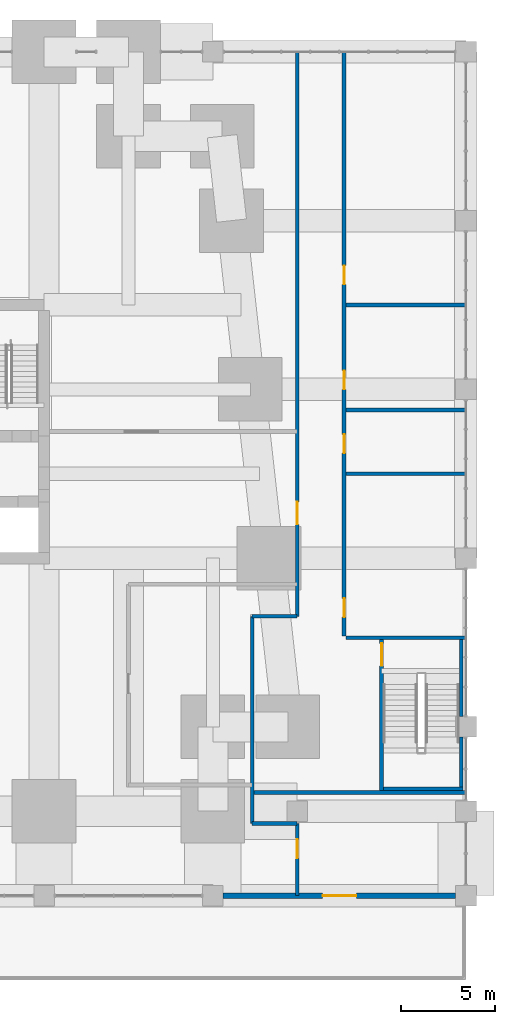
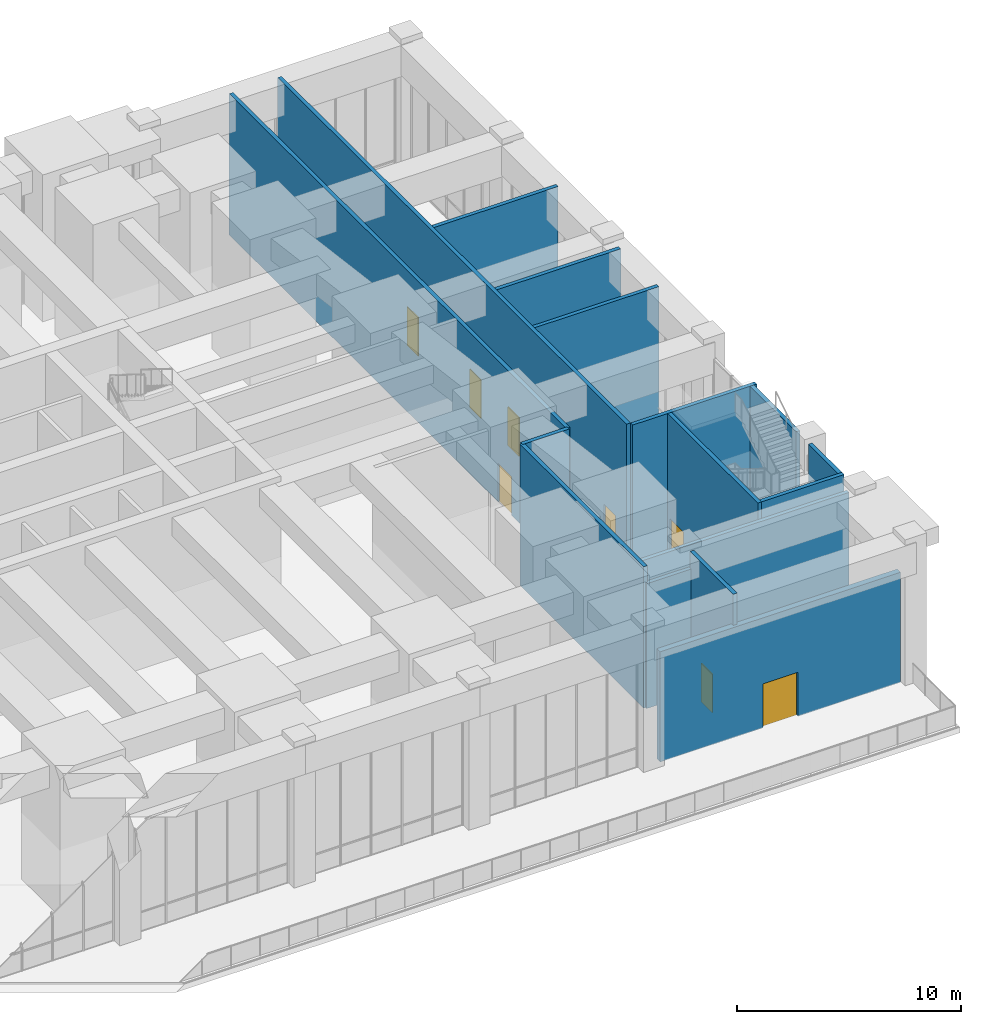
# One storey, part 20 of 26: 16 walls, 8 doors, 8 openings.
"""IFC4 building model written with IfcOpenShell, lengths in metres."""

import ifcopenshell
import ifcopenshell.guid

model = None  # the IFC model being written
_history = None  # IfcOwnerHistory: only IFC2X3 demands one
_inside = {}  # id of a spatial element -> (the spatial element, [elements in it])
_under = {}  # id of a project, library or spatial element -> (it, [spatial elements below it])
_declared = {}  # id of a project -> (the project, [libraries it declares])
_typed = {}  # id of a type object -> (the type object, [elements of that type])
_made_of = {}  # id of a material, layer set ... -> (it, [elements and type objects made of it])


def new_model(schema):
    """Start an empty IFC model of exactly this schema.

    Asked for "IFC4X3", IfcOpenShell would pick the latest addendum, in which some entities
    have other attributes; the version numbers below select the first issue.
    IFC2X3 requires an IfcOwnerHistory on every rooted entity: one is made here for all.
    """
    global model, _history
    if schema == "IFC4X3":
        model = ifcopenshell.file(schema_version=(4, 3, 0, 0))
    else:
        model = ifcopenshell.file(schema=schema)
    _inside.clear()
    _under.clear()
    _declared.clear()
    _typed.clear()
    _made_of.clear()
    _history = None
    if model.schema == "IFC2X3":
        org = make("IfcOrganization", Name="unknown")
        user = make(
            "IfcPersonAndOrganization",
            ThePerson=make("IfcPerson", FamilyName="unknown"),
            TheOrganization=org,
        )
        app = make(
            "IfcApplication",
            ApplicationDeveloper=org,
            Version="unknown",
            ApplicationFullName="unknown",
            ApplicationIdentifier="unknown",
        )
        _history = make(
            "IfcOwnerHistory",
            OwningUser=user,
            OwningApplication=app,
            ChangeAction="ADDED",
            CreationDate=0,
        )
    return model


def make(cls, **values):
    """One entity of the class cls with the attributes given. An attribute that is None is left unset."""
    return model.create_entity(
        cls, **{name: value for name, value in values.items() if value is not None}
    )


def rooted(cls, **values):
    """An entity with a GlobalId (a new one), such as an element, a storey or a relation."""
    return make(cls, GlobalId=ifcopenshell.guid.new(), OwnerHistory=_history, **values)


def si_unit(unit_type, name, prefix=None):
    """IfcSIUnit, for example si_unit("LENGTHUNIT", "METRE", prefix="MILLI")."""
    return make("IfcSIUnit", UnitType=unit_type, Prefix=prefix, Name=name)


def assignment(units):
    """IfcUnitAssignment: the units of a project."""
    return None if units is None else make("IfcUnitAssignment", Units=units)


def point(xyz):
    """IfcCartesianPoint."""
    return None if xyz is None else make("IfcCartesianPoint", Coordinates=xyz)


def direction(xyz):
    """IfcDirection."""
    return None if xyz is None else make("IfcDirection", DirectionRatios=xyz)


def frame(location, z_axis=None, x_axis=None):
    """IfcAxis2Placement3D, a coordinate frame: its origin and axes. An axis left out is left unset."""
    return make(
        "IfcAxis2Placement3D",
        Location=point(location),
        Axis=direction(z_axis),
        RefDirection=direction(x_axis),
    )


def frame_2d(location, x_axis=None):
    """IfcAxis2Placement2D, a coordinate frame in the plane: its origin and x axis."""
    return make(
        "IfcAxis2Placement2D", Location=point(location), RefDirection=direction(x_axis)
    )


def origin():
    """The frame at (0, 0, 0) with its axes left unset."""
    return frame((0.0, 0.0, 0.0))


def place(relative_to, where):
    """IfcLocalPlacement: puts the frame where relative to a parent placement (None: the world)."""
    return make(
        "IfcLocalPlacement", PlacementRelTo=relative_to, RelativePlacement=where
    )


def context(
    kind, dimensions, precision=None, world=None, true_north=None, identifier=None
):
    """IfcGeometricRepresentationContext, for example the 3D "Model" context."""
    return make(
        "IfcGeometricRepresentationContext",
        ContextIdentifier=identifier,
        ContextType=kind,
        CoordinateSpaceDimension=dimensions,
        Precision=precision,
        WorldCoordinateSystem=world,
        TrueNorth=true_north,
    )


def subcontext(parent, identifier, kind, view, scale=None):
    """IfcGeometricRepresentationSubContext, for example "Body" below "Model"."""
    return make(
        "IfcGeometricRepresentationSubContext",
        ContextIdentifier=identifier,
        ContextType=kind,
        ParentContext=parent,
        TargetScale=scale,
        TargetView=view,
    )


def project(units=None, contexts=None):
    """IfcProject with its units and contexts."""
    return rooted(
        "IfcProject",
        Name="project",
        RepresentationContexts=contexts,
        UnitsInContext=assignment(units),
    )


def spatial(cls, under=None, at=None, **own):
    """A site, building, storey or space (cls), placed at a placement, below another one or the project."""
    s = rooted(cls, ObjectPlacement=at, **own)
    if under is not None:
        _under.setdefault(under.id(), (under, []))[1].append(s)
    return s


def profile(cls, at=None, kind="AREA", **sizes):
    """A parametric profile (cls). Its sizes go by their IFC names, for example OverallWidth=200.0."""
    return make(cls, ProfileType=kind, Position=at, **sizes)


def rectangle(**sizes):
    """IfcRectangleProfileDef."""
    return profile("IfcRectangleProfileDef", **sizes)


def extrude(swept, where, along, depth):
    """IfcExtrudedAreaSolid: the profile swept, set in the frame where, extruded along a direction by depth."""
    return make(
        "IfcExtrudedAreaSolid",
        SweptArea=swept,
        Position=where,
        ExtrudedDirection=direction(along),
        Depth=depth,
    )


def shape(context_of_items, identifier, shape_type, items):
    """IfcShapeRepresentation: the items that make up one representation, for example the "Body"."""
    return make(
        "IfcShapeRepresentation",
        ContextOfItems=context_of_items,
        RepresentationIdentifier=identifier,
        RepresentationType=shape_type,
        Items=items,
    )


def material(Name=None, Category=None):
    """IfcMaterial."""
    return make("IfcMaterial", Name=Name, Category=Category)


def layer(
    of_material, thickness, ventilated=None, Name=None, Category=None, Priority=None
):
    """IfcMaterialLayer: one layer of a wall or slab, of a material (None: an air gap)."""
    return make(
        "IfcMaterialLayer",
        Material=of_material,
        LayerThickness=thickness,
        IsVentilated=ventilated,
        Name=Name,
        Category=Category,
        Priority=Priority,
    )


def layer_set(layers, Name=None):
    """IfcMaterialLayerSet."""
    return make("IfcMaterialLayerSet", MaterialLayers=layers, LayerSetName=Name)


def made_of(thing, what):
    """Note that an element or type object is made of a material, layer set ...; save() writes the relation."""
    if what is not None:
        _made_of.setdefault(what.id(), (what, []))[1].append(thing)
    return thing


def type_object(cls, material=None, **own):
    """A type object (cls), such as IfcWallType, which elements share."""
    return made_of(rooted(cls, **own), material)


def element(
    cls,
    number,
    at=None,
    inside=None,
    cuts=None,
    type_object=None,
    material=None,
    context=None,
    identifier="Body",
    shape_type=None,
    held_by="IfcProductDefinitionShape",
    body=None,
    shapes=None,
    **own,
):
    """One element of the class cls, such as IfcWall. Its Tag is "e" and its number.

    at: its placement. inside: the storey or other place that contains it. cuts: it is an
    opening in that element (IfcRelVoidsElement). A single representation is given by context,
    identifier, shape_type and body (its items); several are given by shapes. held_by: the class
    of the entity that holds the representations. save() writes the other relations.
    """
    e = rooted(cls, Tag="e%d" % number, ObjectPlacement=at, **own)
    if body is not None:
        shapes = [shape(context, identifier, shape_type, body)]
    if shapes is not None:
        e.Representation = make(held_by, Representations=shapes)
    if inside is not None:
        _inside.setdefault(inside.id(), (inside, []))[1].append(e)
    if cuts is not None:
        rooted(
            "IfcRelVoidsElement", RelatingBuildingElement=cuts, RelatedOpeningElement=e
        )
    if type_object is not None:
        _typed.setdefault(type_object.id(), (type_object, []))[1].append(e)
    return made_of(e, material)


def fill(opening, filler):
    """IfcRelFillsElement: the door or window that sits in an opening."""
    return rooted(
        "IfcRelFillsElement",
        RelatingOpeningElement=opening,
        RelatedBuildingElement=filler,
    )


def aggregate(whole, parts):
    """IfcRelAggregates: a whole, such as a stair, and the parts it consists of."""
    return rooted("IfcRelAggregates", RelatingObject=whole, RelatedObjects=parts)


def save(model, path):
    """Write the relations noted so far, then the file.

    IfcRelAggregates (storeys below a building ...), IfcRelContainedInSpatialStructure (elements
    in a storey), IfcRelDefinesByType, IfcRelAssociatesMaterial and IfcRelDeclares: one each for
    every whole, place, type object, material and project.
    """
    for whole, parts in _under.values():
        aggregate(whole, parts)
    for where, things in _inside.values():
        rooted(
            "IfcRelContainedInSpatialStructure",
            RelatedElements=things,
            RelatingStructure=where,
        )
    for kind, things in _typed.values():
        rooted("IfcRelDefinesByType", RelatedObjects=things, RelatingType=kind)
    for what, things in _made_of.values():
        rooted("IfcRelAssociatesMaterial", RelatedObjects=things, RelatingMaterial=what)
    for by, libraries in _declared.values():
        rooted("IfcRelDeclares", RelatingContext=by, RelatedDefinitions=libraries)
    model.write(path)


model = new_model("IFC4")

# Units and contexts
model_context = context("Model", 3, precision=1e-05, world=origin(), true_north=direction((0.0, 1.0)))
body_context = subcontext(model_context, "Body", "Model", "MODEL_VIEW")
ifc_project = project(units=[si_unit("LENGTHUNIT", "METRE"), si_unit("AREAUNIT", "SQUARE_METRE"), si_unit("VOLUMEUNIT", "CUBIC_METRE"), si_unit("PLANEANGLEUNIT", "RADIAN"), si_unit("MASSUNIT", "GRAM", prefix="KILO")], contexts=[model_context])

# Site, building, storey
site_placement = place(None, origin())
site = spatial("IfcSite", under=ifc_project, at=site_placement, CompositionType="ELEMENT")
building_placement = place(site_placement, origin())
building = spatial("IfcBuilding", under=site, at=building_placement, Name="Kilele Tower Hotel", CompositionType="ELEMENT")
storey_placement = place(building_placement, frame((0.0, 0.0, 11.0)))
storey = spatial("IfcBuildingStorey", under=building, at=storey_placement, Name="L02", CompositionType="ELEMENT", Elevation=11.0)

# Wall, opening, door
ifc_material_1 = material(Name="Blockwork, plastered both sides", Category="masonry")
ifc_layer_1 = layer(ifc_material_1, 0.199951171875)
ifc_layer_set_1 = layer_set([ifc_layer_1], Name="Blockwork, plastered both sides")
wall_type_1 = type_object("IfcWallType", Name="Partition wall 200", PredefinedType="PARTITIONING", material=ifc_layer_set_1)
wall_1_placement = place(storey_placement, frame((49.5, -4.5, 0.0), z_axis=(0.0, 0.0, 1.0), x_axis=(0.0, 1.0, 0.0)))
wall_1 = element("IfcWall", 1, at=wall_1_placement, inside=storey, type_object=wall_type_1, Name="Partition wall 200 L02", PredefinedType="PARTITIONING", context=body_context, shape_type="SweptSolid", body=[
    extrude(rectangle(XDim=3.85009765625, YDim=0.199951171875, at=frame_2d((1.925048828125, 0.0))), origin(), (0.0, 0.0, 1.0), 7.699951171875),
])
opening_1_placement = place(wall_1_placement, frame((3.0, 0.0, 0.0), z_axis=(0.0, 0.0, 1.0), x_axis=(-1.0, 0.0, 0.0)))
opening_1 = element("IfcOpeningElement", 2, at=opening_1_placement, cuts=wall_1, Name="Opening D8", PredefinedType="OPENING", context=body_context, shape_type="SweptSolid", body=[
    extrude(rectangle(XDim=1.0, YDim=2.10009765625, at=frame_2d((0.5, 1.050048828125))), frame((0.0, 0.10986328125, 0.0), z_axis=(0.0, -1.0, 0.0), x_axis=(1.0, 0.0, 0.0)), (0.0, 0.0, 1.0), 0.219970703125),
])
ifc_material_2 = material(Name="Timber door leaf in hardwood frame", Category="wood")
door_type_1 = type_object("IfcDoorType", Name="Door 1000", OperationType="SINGLE_SWING_LEFT", PredefinedType="DOOR", material=ifc_material_2)
door_1_placement = place(opening_1_placement, origin())
door_1 = element("IfcDoor", 3, at=door_1_placement, inside=storey, type_object=door_type_1, Name="Door cloakroom", OperationType="SINGLE_SWING_LEFT", OverallHeight=2.10009765625, OverallWidth=1.0, PredefinedType="DOOR", context=body_context, shape_type="SweptSolid", body=[
    extrude(rectangle(XDim=1.0, YDim=2.10009765625, at=frame_2d((0.5, 1.050048828125))), frame((0.0, 0.02490234375, 0.0), z_axis=(0.0, -1.0, 0.0), x_axis=(1.0, 0.0, 0.0)), (0.0, 0.0, 1.0), 0.050048828125),
])
fill(opening_1, door_1)

# Walls
wall_2_placement = place(storey_placement, frame((47.10009765625, -0.64990234375, 0.0), z_axis=(0.0, 0.0, 1.0), x_axis=(1.0, 0.0, 0.0)))
element("IfcWall", 4, at=wall_2_placement, inside=storey, type_object=wall_type_1, Name="Partition wall 200 L02", PredefinedType="PARTITIONING", context=body_context, shape_type="SweptSolid", body=[
    extrude(rectangle(XDim=2.39990234375, YDim=0.199951171875, at=frame_2d((1.199951171875, 0.0))), origin(), (0.0, 0.0, 1.0), 6.800048828125),
])
wall_3_placement = place(storey_placement, frame((47.10009765625, -0.64990234375, 0.0), z_axis=(0.0, 0.0, 1.0), x_axis=(0.0, 1.0, 0.0)))
element("IfcWall", 5, at=wall_3_placement, inside=storey, type_object=wall_type_1, Name="Partition wall 200 L02", PredefinedType="PARTITIONING", context=body_context, shape_type="SweptSolid", body=[
    extrude(rectangle(XDim=11.0498046875, YDim=0.199951171875, at=frame_2d((5.52490234375, 0.0))), origin(), (0.0, 0.0, 1.0), 7.699951171875),
])
wall_4_placement = place(storey_placement, frame((47.10009765625, 10.39990234375, 0.0), z_axis=(0.0, 0.0, 1.0), x_axis=(1.0, 0.0, 0.0)))
element("IfcWall", 6, at=wall_4_placement, inside=storey, type_object=wall_type_1, Name="Partition wall 200 L02", PredefinedType="PARTITIONING", context=body_context, shape_type="SweptSolid", body=[
    extrude(rectangle(XDim=2.39990234375, YDim=0.199951171875, at=frame_2d((1.199951171875, 0.0))), origin(), (0.0, 0.0, 1.0), 7.699951171875),
])

# Wall, opening, door
wall_5_placement = place(storey_placement, frame((49.5, 10.39990234375, 0.0), z_axis=(0.0, 0.0, 1.0), x_axis=(0.0, 1.0, 0.0)))
wall_5 = element("IfcWall", 7, at=wall_5_placement, inside=storey, type_object=wall_type_1, Name="Partition wall 200 L02", PredefinedType="PARTITIONING", context=body_context, shape_type="SweptSolid", body=[
    extrude(rectangle(XDim=30.10009765625, YDim=0.199951171875, at=frame_2d((15.050048828125, 0.0))), origin(), (0.0, 0.0, 1.0), 7.699951171875),
])
opening_2_placement = place(wall_5_placement, frame((4.89990234375, 0.0, 0.0)))
opening_2 = element("IfcOpeningElement", 8, at=opening_2_placement, cuts=wall_5, Name="Opening D8A", PredefinedType="OPENING", context=body_context, shape_type="SweptSolid", body=[
    extrude(rectangle(XDim=1.199951171875, YDim=2.10009765625, at=frame_2d((0.60009765625, 1.050048828125))), frame((0.0, 0.10986328125, 0.0), z_axis=(0.0, -1.0, 0.0), x_axis=(1.0, 0.0, 0.0)), (0.0, 0.0, 1.0), 0.219970703125),
])
ifc_material_3 = material(Name="Timber door leaf in hardwood frame", Category="wood")
door_type_2 = type_object("IfcDoorType", Name="Door 1200", OperationType="SINGLE_SWING_LEFT", PredefinedType="DOOR", material=ifc_material_3)
door_2_placement = place(opening_2_placement, origin())
door_2 = element("IfcDoor", 9, at=door_2_placement, inside=storey, type_object=door_type_2, Name="Door service corridor", OperationType="SINGLE_SWING_LEFT", OverallHeight=2.10009765625, OverallWidth=1.199951171875, PredefinedType="DOOR", context=body_context, shape_type="SweptSolid", body=[
    extrude(rectangle(XDim=1.199951171875, YDim=2.10009765625, at=frame_2d((0.60009765625, 1.050048828125))), frame((0.0, 0.02490234375, 0.0), z_axis=(0.0, -1.0, 0.0), x_axis=(1.0, 0.0, 0.0)), (0.0, 0.0, 1.0), 0.050048828125),
])
fill(opening_2, door_2)

# Wall, openings, doors
wall_6_placement = place(storey_placement, frame((52.0, 9.35009765625, 0.0), z_axis=(0.0, 0.0, 1.0), x_axis=(0.0, 1.0, 0.0)))
wall_6 = element("IfcWall", 10, at=wall_6_placement, inside=storey, type_object=wall_type_1, Name="Partition wall 200 L02", PredefinedType="PARTITIONING", context=body_context, shape_type="SweptSolid", body=[
    extrude(rectangle(XDim=31.14990234375, YDim=0.199951171875, at=frame_2d((15.574951171875, 0.0))), origin(), (0.0, 0.0, 1.0), 7.699951171875),
])
opening_3_placement = place(wall_6_placement, frame((2.0, 0.0, 0.0), z_axis=(0.0, 0.0, 1.0), x_axis=(-1.0, 0.0, 0.0)))
opening_3 = element("IfcOpeningElement", 11, at=opening_3_placement, cuts=wall_6, Name="Opening D8", PredefinedType="OPENING", context=body_context, shape_type="SweptSolid", body=[
    extrude(rectangle(XDim=1.0, YDim=2.10009765625, at=frame_2d((0.5, 1.050048828125))), frame((0.0, 0.10986328125, 0.0), z_axis=(0.0, -1.0, 0.0), x_axis=(1.0, 0.0, 0.0)), (0.0, 0.0, 1.0), 0.219970703125),
])
opening_4_placement = place(wall_6_placement, frame((10.75, 0.0, 0.0), z_axis=(0.0, 0.0, 1.0), x_axis=(-1.0, 0.0, 0.0)))
opening_4 = element("IfcOpeningElement", 12, at=opening_4_placement, cuts=wall_6, Name="Opening D8", PredefinedType="OPENING", context=body_context, shape_type="SweptSolid", body=[
    extrude(rectangle(XDim=1.0, YDim=2.10009765625, at=frame_2d((0.5, 1.050048828125))), frame((0.0, 0.10986328125, 0.0), z_axis=(0.0, -1.0, 0.0), x_axis=(1.0, 0.0, 0.0)), (0.0, 0.0, 1.0), 0.219970703125),
])
opening_5_placement = place(wall_6_placement, frame((14.14990234375, 0.0, 0.0), z_axis=(0.0, 0.0, 1.0), x_axis=(-1.0, 0.0, 0.0)))
opening_5 = element("IfcOpeningElement", 13, at=opening_5_placement, cuts=wall_6, Name="Opening D8", PredefinedType="OPENING", context=body_context, shape_type="SweptSolid", body=[
    extrude(rectangle(XDim=1.0, YDim=2.10009765625, at=frame_2d((0.5, 1.050048828125))), frame((0.0, 0.10986328125, 0.0), z_axis=(0.0, -1.0, 0.0), x_axis=(1.0, 0.0, 0.0)), (0.0, 0.0, 1.0), 0.219970703125),
])
opening_6_placement = place(wall_6_placement, frame((19.75, 0.0, 0.0), z_axis=(0.0, 0.0, 1.0), x_axis=(-1.0, 0.0, 0.0)))
opening_6 = element("IfcOpeningElement", 14, at=opening_6_placement, cuts=wall_6, Name="Opening D7", PredefinedType="OPENING", context=body_context, shape_type="SweptSolid", body=[
    extrude(rectangle(XDim=1.0, YDim=2.10009765625, at=frame_2d((0.5, 1.050048828125))), frame((0.0, 0.10986328125, 0.0), z_axis=(0.0, -1.0, 0.0), x_axis=(1.0, 0.0, 0.0)), (0.0, 0.0, 1.0), 0.219970703125),
])
door_3_placement = place(opening_3_placement, origin())
door_3 = element("IfcDoor", 15, at=door_3_placement, inside=storey, type_object=door_type_1, Name="Door WC men", OperationType="SINGLE_SWING_RIGHT", OverallHeight=2.10009765625, OverallWidth=1.0, PredefinedType="DOOR", context=body_context, shape_type="SweptSolid", body=[
    extrude(rectangle(XDim=1.0, YDim=2.10009765625, at=frame_2d((0.5, 1.050048828125))), frame((0.0, 0.02490234375, 0.0), z_axis=(0.0, -1.0, 0.0), x_axis=(1.0, 0.0, 0.0)), (0.0, 0.0, 1.0), 0.050048828125),
])
fill(opening_3, door_3)
door_4_placement = place(opening_4_placement, origin())
door_4 = element("IfcDoor", 16, at=door_4_placement, inside=storey, type_object=door_type_1, Name="Door Accessible WC", OperationType="SINGLE_SWING_RIGHT", OverallHeight=2.10009765625, OverallWidth=1.0, PredefinedType="DOOR", context=body_context, shape_type="SweptSolid", body=[
    extrude(rectangle(XDim=1.0, YDim=2.10009765625, at=frame_2d((0.5, 1.050048828125))), frame((0.0, 0.02490234375, 0.0), z_axis=(0.0, -1.0, 0.0), x_axis=(1.0, 0.0, 0.0)), (0.0, 0.0, 1.0), 0.050048828125),
])
fill(opening_4, door_4)
door_5_placement = place(opening_5_placement, origin())
door_5 = element("IfcDoor", 17, at=door_5_placement, inside=storey, type_object=door_type_1, Name="Door WC women", OperationType="SINGLE_SWING_RIGHT", OverallHeight=2.10009765625, OverallWidth=1.0, PredefinedType="DOOR", context=body_context, shape_type="SweptSolid", body=[
    extrude(rectangle(XDim=1.0, YDim=2.10009765625, at=frame_2d((0.5, 1.050048828125))), frame((0.0, 0.02490234375, 0.0), z_axis=(0.0, -1.0, 0.0), x_axis=(1.0, 0.0, 0.0)), (0.0, 0.0, 1.0), 0.050048828125),
])
fill(opening_5, door_5)
ifc_material_4 = material(Name="Timber door leaf in hardwood frame", Category="wood")
door_type_3 = type_object("IfcDoorType", Name="Plant room door 1000", OperationType="SINGLE_SWING_LEFT", PredefinedType="DOOR", material=ifc_material_4)
door_6_placement = place(opening_6_placement, origin())
door_6 = element("IfcDoor", 18, at=door_6_placement, inside=storey, type_object=door_type_3, Name="Door Banquet store", OperationType="SINGLE_SWING_RIGHT", OverallHeight=2.10009765625, OverallWidth=1.0, PredefinedType="DOOR", context=body_context, shape_type="SweptSolid", body=[
    extrude(rectangle(XDim=1.0, YDim=2.10009765625, at=frame_2d((0.5, 1.050048828125))), frame((0.0, 0.02490234375, 0.0), z_axis=(0.0, -1.0, 0.0), x_axis=(1.0, 0.0, 0.0)), (0.0, 0.0, 1.0), 0.050048828125),
])
fill(opening_6, door_6)

# Walls
wall_7_placement = place(storey_placement, frame((47.10009765625, 1.0, 0.0), z_axis=(0.0, 0.0, 1.0), x_axis=(1.0, 0.0, 0.0)))
element("IfcWall", 19, at=wall_7_placement, inside=storey, type_object=wall_type_1, Name="Partition wall 200 L02", PredefinedType="PARTITIONING", context=body_context, shape_type="SweptSolid", body=[
    extrude(rectangle(XDim=11.39990234375, YDim=0.199951171875, at=frame_2d((5.699951171875, 0.0))), origin(), (0.0, 0.0, 1.0), 6.800048828125),
])
for number, where, z_axis, x_axis, name in (
    (20, (52.10009765625, 18.0, 0.0), (0.0, 0.0, 1.0), (1.0, 0.0, 0.0), "Partition wall 200 L02"),
    (21, (52.10009765625, 21.39990234375, 0.0), (0.0, 0.0, 1.0), (1.0, 0.0, 0.0), "Partition wall 200 L02"),
    (22, (52.10009765625, 27.0, 0.0), (0.0, 0.0, 1.0), (1.0, 0.0, 0.0), "Partition wall 200 L02"),
):
    element("IfcWall", number, at=place(storey_placement, frame(where, z_axis=z_axis, x_axis=x_axis)), inside=storey, type_object=wall_type_1, Name=name, PredefinedType="PARTITIONING", context=body_context, shape_type="SweptSolid", body=[
        extrude(rectangle(XDim=6.39990234375, YDim=0.199951171875, at=frame_2d((3.199951171875, 0.0))), origin(), (0.0, 0.0, 1.0), 7.699951171875),
    ])

# Wall, opening, door
ifc_material_5 = material(Name="Concrete C40/50 precast", Category="concrete")
ifc_layer_2 = layer(ifc_material_5, 0.260009765625, Name="Precast backing", Category="LoadBearing")
ifc_material_6 = material(Name="Reconstituted stone finish", Category="masonry")
ifc_layer_3 = layer(ifc_material_6, 0.0400390625, Name="Face mix", Category="Finish")
ifc_layer_set_2 = layer_set([ifc_layer_2, ifc_layer_3], Name="Precast concrete C40/50, reconstituted stone finish")
wall_type_2 = type_object("IfcWallType", Name="Precast stone facade wall 300", PredefinedType="STANDARD", material=ifc_layer_set_2)
wall_8_placement = place(storey_placement, frame((45.550048828125, -4.5, 0.0), z_axis=(0.0, 0.0, 1.0), x_axis=(1.0, 0.0, 0.0)))
wall_8 = element("IfcWall", 23, at=wall_8_placement, inside=storey, type_object=wall_type_2, Name="Podium terrace wall L02", PredefinedType="STANDARD", context=body_context, shape_type="SweptSolid", body=[
    extrude(rectangle(XDim=12.39990234375, YDim=0.300048828125, at=frame_2d((6.199951171875, 0.0))), origin(), (0.0, 0.0, 1.0), 6.0),
])
opening_7_placement = place(wall_8_placement, frame((5.300048828125, 0.0, 0.0)))
opening_7 = element("IfcOpeningElement", 24, at=opening_7_placement, cuts=wall_8, Name="Opening TD2", PredefinedType="OPENING", context=body_context, shape_type="SweptSolid", body=[
    extrude(rectangle(XDim=1.800048828125, YDim=2.39990234375, at=frame_2d((0.89990234375, 1.199951171875))), frame((0.0, 0.159912109375, 0.0), z_axis=(0.0, -1.0, 0.0), x_axis=(1.0, 0.0, 0.0)), (0.0, 0.0, 1.0), 0.320068359375),
])
ifc_material_7 = material(Name="Aluminium frame, clear glazing", Category="aluminium")
door_type_4 = type_object("IfcDoorType", Name="Terrace door 1800", OperationType="DOUBLE_DOOR_SINGLE_SWING", PredefinedType="DOOR", material=ifc_material_7)
door_7_placement = place(opening_7_placement, origin())
door_7 = element("IfcDoor", 25, at=door_7_placement, inside=storey, type_object=door_type_4, Name="Terrace door", OperationType="DOUBLE_DOOR_SINGLE_SWING", OverallHeight=2.39990234375, OverallWidth=1.800048828125, PredefinedType="DOOR", context=body_context, shape_type="SweptSolid", body=[
    extrude(rectangle(XDim=1.800048828125, YDim=2.39990234375, at=frame_2d((0.89990234375, 1.199951171875))), frame((0.0, 0.02490234375, 0.0), z_axis=(0.0, -1.0, 0.0), x_axis=(1.0, 0.0, 0.0)), (0.0, 0.0, 1.0), 0.050048828125),
])
fill(opening_7, door_7)

ifc_material_8 = material(Name="Concrete C40/50", Category="concrete")
ifc_layer_4 = layer(ifc_material_8, 0.199951171875)
ifc_layer_set_3 = layer_set([ifc_layer_4], Name="Concrete C40/50")
wall_type_3 = type_object("IfcWallType", Name="Stair wall RC 200 C40/50", PredefinedType="SOLIDWALL", material=ifc_layer_set_3)
wall_9_placement = place(storey_placement, frame((54.0, 1.10009765625, 0.0), z_axis=(0.0, 0.0, 1.0), x_axis=(0.0, 1.0, 0.0)))
wall_9 = element("IfcWall", 26, at=wall_9_placement, inside=storey, type_object=wall_type_3, Name="Stair wall RC 200 C40/50 L02", PredefinedType="SOLIDWALL", context=body_context, shape_type="SweptSolid", body=[
    extrude(rectangle(XDim=8.0498046875, YDim=0.199951171875, at=frame_2d((4.02490234375, 0.0))), origin(), (0.0, 0.0, 1.0), 7.699951171875),
])
opening_8_placement = place(wall_9_placement, frame((7.849853515625, 0.0, 0.0), z_axis=(0.0, 0.0, 1.0), x_axis=(-1.0, 0.0, 0.0)))
opening_8 = element("IfcOpeningElement", 27, at=opening_8_placement, cuts=wall_9, Name="Opening D5A", PredefinedType="OPENING", context=body_context, shape_type="SweptSolid", body=[
    extrude(rectangle(XDim=1.199951171875, YDim=2.10009765625, at=frame_2d((0.60009765625, 1.050048828125))), frame((0.0, 0.10986328125, 0.0), z_axis=(0.0, -1.0, 0.0), x_axis=(1.0, 0.0, 0.0)), (0.0, 0.0, 1.0), 0.219970703125),
])
ifc_material_9 = material(Name="Timber door leaf in hardwood frame", Category="wood")
door_type_5 = type_object("IfcDoorType", Name="Stair door 1200", OperationType="SINGLE_SWING_LEFT", PredefinedType="DOOR", material=ifc_material_9)
door_8_placement = place(opening_8_placement, origin())
door_8 = element("IfcDoor", 28, at=door_8_placement, inside=storey, type_object=door_type_5, Name="Stair 5 door", OperationType="SINGLE_SWING_LEFT", OverallHeight=2.10009765625, OverallWidth=1.199951171875, PredefinedType="DOOR", context=body_context, shape_type="SweptSolid", body=[
    extrude(rectangle(XDim=1.199951171875, YDim=2.10009765625, at=frame_2d((0.60009765625, 1.050048828125))), frame((0.0, 0.02490234375, 0.0), z_axis=(0.0, -1.0, 0.0), x_axis=(1.0, 0.0, 0.0)), (0.0, 0.0, 1.0), 0.050048828125),
])
fill(opening_8, door_8)

# Walls
wall_10_placement = place(storey_placement, frame((52.10009765625, 9.25, 0.0), z_axis=(0.0, 0.0, 1.0), x_axis=(1.0, 0.0, 0.0)))
element("IfcWall", 29, at=wall_10_placement, inside=storey, type_object=wall_type_3, Name="Stair wall RC 200 C40/50 L02", PredefinedType="SOLIDWALL", context=body_context, shape_type="SweptSolid", body=[
    extrude(rectangle(XDim=6.39990234375, YDim=0.199951171875, at=frame_2d((3.199951171875, 0.0))), origin(), (0.0, 0.0, 1.0), 7.699951171875),
])
wall_11_placement = place(storey_placement, frame((54.10009765625, 1.199951171875, 0.0), z_axis=(0.0, 0.0, 1.0), x_axis=(1.0, 0.0, 0.0)))
element("IfcWall", 30, at=wall_11_placement, inside=storey, type_object=wall_type_3, Name="Stair wall RC 200 C40/50 L02", PredefinedType="SOLIDWALL", context=body_context, shape_type="SweptSolid", body=[
    extrude(rectangle(XDim=4.25, YDim=0.199951171875, at=frame_2d((2.125, 0.0))), origin(), (0.0, 0.0, 1.0), 7.699951171875),
])
wall_12_placement = place(storey_placement, frame((58.25, 1.300048828125, 0.0), z_axis=(0.0, 0.0, 1.0), x_axis=(0.0, 1.0, 0.0)))
element("IfcWall", 31, at=wall_12_placement, inside=storey, type_object=wall_type_3, Name="Stair wall RC 200 C40/50 L02", PredefinedType="SOLIDWALL", context=body_context, shape_type="SweptSolid", body=[
    extrude(rectangle(XDim=2.64990234375, YDim=0.199951171875, at=frame_2d((1.324951171875, 0.0))), origin(), (0.0, 0.0, 1.0), 7.699951171875),
])
wall_13_placement = place(storey_placement, frame((58.25, 5.050048828125, 0.0), z_axis=(0.0, 0.0, 1.0), x_axis=(0.0, 1.0, 0.0)))
element("IfcWall", 32, at=wall_13_placement, inside=storey, type_object=wall_type_3, Name="Stair wall RC 200 C40/50 L02", PredefinedType="SOLIDWALL", context=body_context, shape_type="SweptSolid", body=[
    extrude(rectangle(XDim=4.099853515625, YDim=0.199951171875, at=frame_2d((2.0498046875, 0.0))), origin(), (0.0, 0.0, 1.0), 7.699951171875),
])

save(model, "model.ifc")
